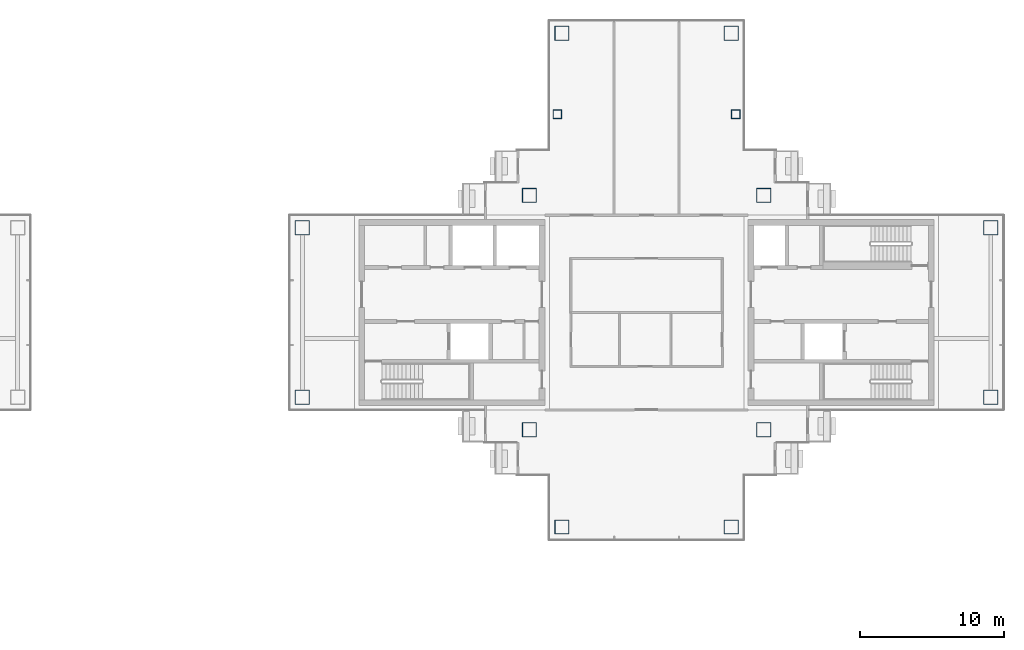
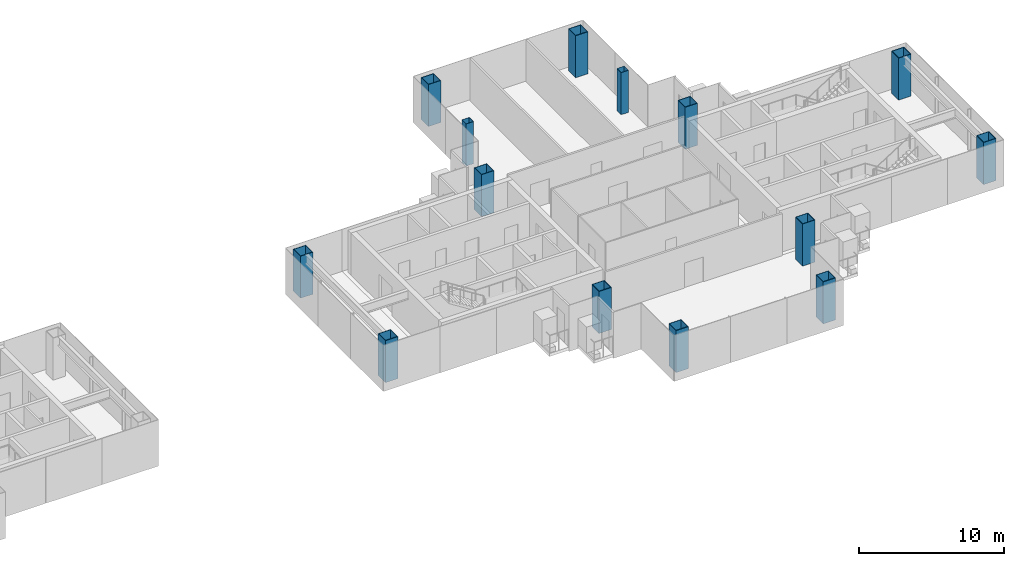
# One storey, part 2 of 16: 14 columns.
"""IFC4 building model written with IfcOpenShell, lengths in metres."""

from ifc_helpers import new_model, si_unit, direction, frame, origin, origin_2d, place, context, subcontext, project, spatial, hollow_rectangle, extrude, material, material_profile, profile_set, type_object, element, save


model = new_model("IFC4")

# Units and contexts
model_context = context("Model", 3, precision=1e-05, world=origin(), true_north=direction((0.0, 1.0)))
body_context = subcontext(model_context, "Body", "Model", "MODEL_VIEW")
ifc_project = project(units=[si_unit("LENGTHUNIT", "METRE"), si_unit("AREAUNIT", "SQUARE_METRE"), si_unit("VOLUMEUNIT", "CUBIC_METRE"), si_unit("PLANEANGLEUNIT", "RADIAN"), si_unit("MASSUNIT", "GRAM", prefix="KILO")], contexts=[model_context])

# Site, building, storey
site_placement = place(None, origin())
site = spatial("IfcSite", under=ifc_project, at=site_placement, CompositionType="ELEMENT")
building_placement = place(site_placement, origin())
building = spatial("IfcBuilding", under=site, at=building_placement, Name="Shamsa Quay Exchange Towers", CompositionType="ELEMENT")
storey_placement = place(building_placement, frame((0.0, 0.0, 186.60009765625)))
storey = spatial("IfcBuildingStorey", under=building, at=storey_placement, Name="L44", CompositionType="ELEMENT", Elevation=186.60009765625)

# Columns
ifc_material_1 = material(Name="Concrete-filled steel tube S355 / C80/95", Category="concrete")
ifc_material_profile_1 = material_profile(ifc_material_1, hollow_rectangle(XDim=1.0, YDim=1.0, WallThickness=0.0400390625, at=origin_2d()), Name="CFT 1000x1000x40")
ifc_profile_set_1 = profile_set([ifc_material_profile_1], Name="Concrete-filled steel tube S355 / C80/95")
column_type_1 = type_object("IfcColumnType", Name="Column CFT 1000x1000x40", PredefinedType="COLUMN", material=ifc_profile_set_1)
for number, where, name in (
    (1, (25.625, 8.125, 0.0), "Mega column T2-CM01"),
    (2, (41.875, 8.125, 0.0), "Mega column T2-CM02"),
    (3, (25.625, -8.125, 0.0), "Mega column T2-CM03"),
    (4, (41.875, -8.125, 0.0), "Mega column T2-CM04"),
    (5, (39.625, 19.375, 0.0), "Mega column T2-CM06"),
    (6, (27.875, 19.375, 0.0), "Mega column T2-CM10"),
    (7, (39.625, -14.875, 0.0), "Mega column T2-CM13"),
    (8, (27.875, -14.875, 0.0), "Mega column T2-CM16"),
    (9, (9.875, -5.875, 0.0), "Mega column T2-CM19"),
    (10, (9.875, 5.875, 0.0), "Mega column T2-CM20"),
    (11, (57.625, -5.875, 0.0), "Mega column T2-CM21"),
    (12, (57.625, 5.875, 0.0), "Mega column T2-CM23"),
):
    element("IfcColumn", number, at=place(storey_placement, frame(where)), inside=storey, type_object=column_type_1, Name=name, PredefinedType="COLUMN", context=body_context, shape_type="SweptSolid", body=[
        extrude(hollow_rectangle(XDim=1.0, YDim=1.0, WallThickness=0.0400390625, at=origin_2d()), origin(), (0.0, 0.0, 1.0), 3.5498046875),
    ])
ifc_material_2 = material(Name="Concrete-filled steel tube S355 / C60/75", Category="concrete")
ifc_material_profile_2 = material_profile(ifc_material_2, hollow_rectangle(XDim=0.60009765625, YDim=0.60009765625, WallThickness=0.02001953125, at=origin_2d()), Name="CFT 600x600x20")
ifc_profile_set_2 = profile_set([ifc_material_profile_2], Name="Concrete-filled steel tube S355 / C60/75")
column_type_2 = type_object("IfcColumnType", Name="Column CFT 600x600x20", PredefinedType="COLUMN", material=ifc_profile_set_2)
for number, where, name in (
    (13, (39.9375, 13.75, 0.0), "Perimeter column T2-CP05"),
    (14, (27.5625, 13.75, 0.0), "Perimeter column T2-CP09"),
):
    element("IfcColumn", number, at=place(storey_placement, frame(where)), inside=storey, type_object=column_type_2, Name=name, PredefinedType="COLUMN", context=body_context, shape_type="SweptSolid", body=[
        extrude(hollow_rectangle(XDim=0.60009765625, YDim=0.60009765625, WallThickness=0.02001953125, at=origin_2d()), origin(), (0.0, 0.0, 1.0), 3.5498046875),
    ])

save(model, "model.ifc")
